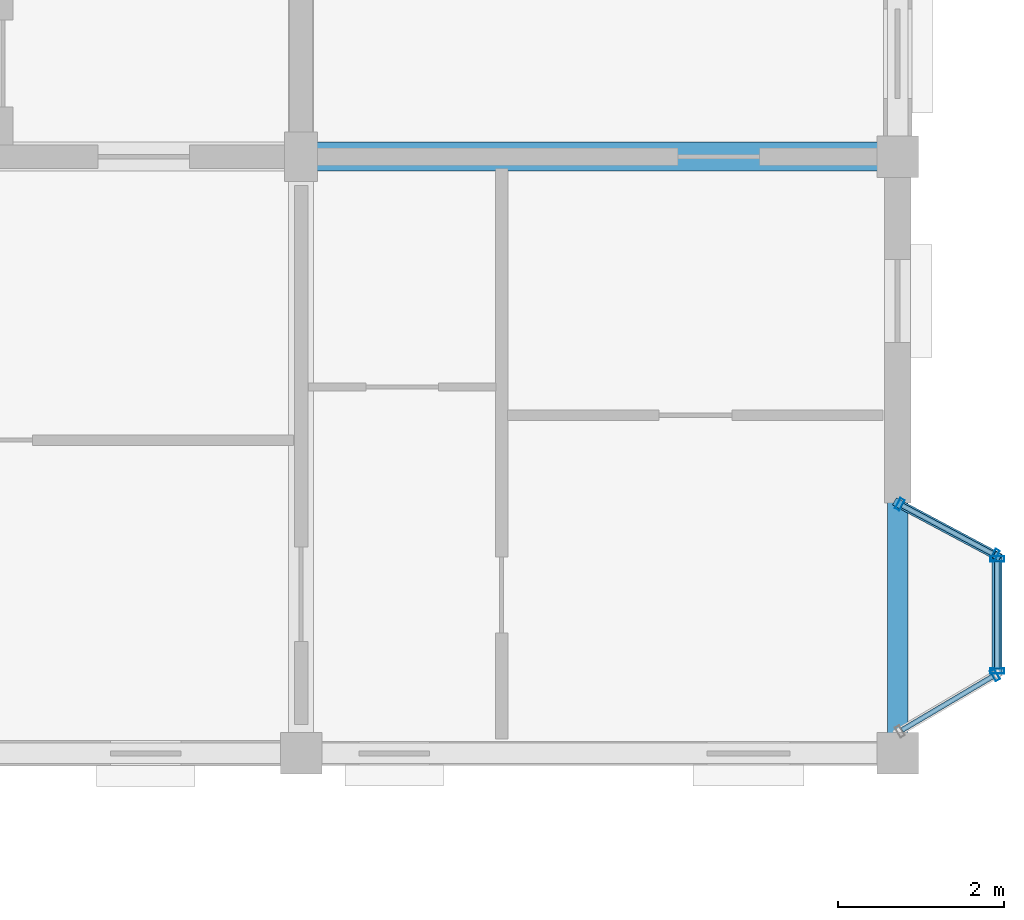
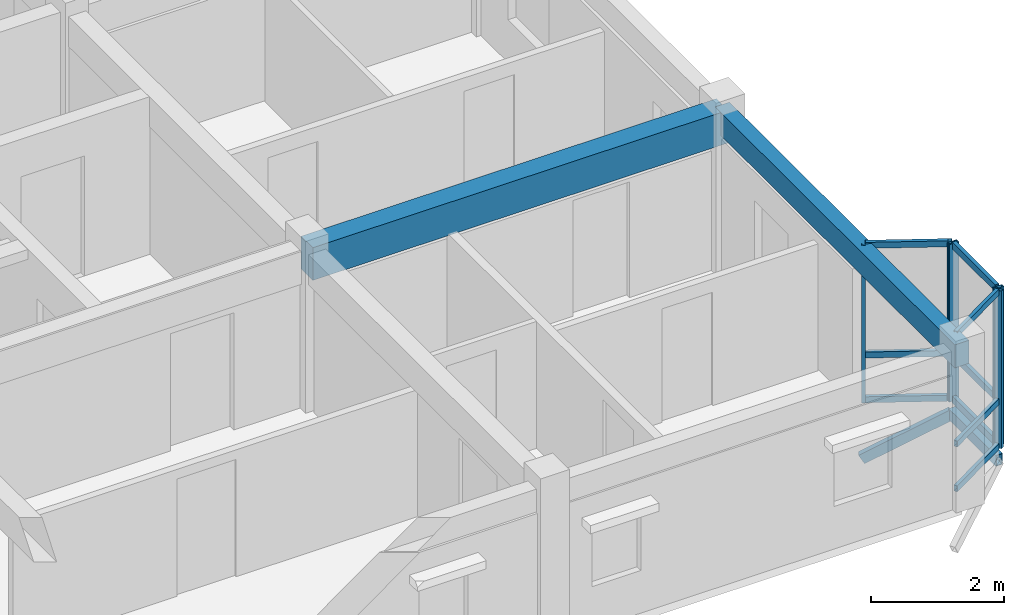
# One storey, part 18 of 64: 16 members, 2 beams, 3 elements without a shape of their own.
"""IFC4 building model written with IfcOpenShell, lengths in metres."""

from ifc_helpers import new_model, si_unit, direction, frame, origin, origin_2d, place, context, subcontext, project, spatial, rectangle, hollow_rectangle, extrude, material, layer, layer_set, material_profile, profile_set, type_object, element, aggregate, save


model = new_model("IFC4")

# Units and contexts
model_context = context("Model", 3, precision=1e-05, world=origin(), true_north=direction((0.0, 1.0)))
body_context = subcontext(model_context, "Body", "Model", "MODEL_VIEW")
ifc_project = project(units=[si_unit("LENGTHUNIT", "METRE"), si_unit("AREAUNIT", "SQUARE_METRE"), si_unit("VOLUMEUNIT", "CUBIC_METRE"), si_unit("PLANEANGLEUNIT", "RADIAN"), si_unit("MASSUNIT", "GRAM", prefix="KILO"), si_unit("THERMODYNAMICTEMPERATUREUNIT", "KELVIN"), si_unit("POWERUNIT", "WATT")], contexts=[model_context])

# Site, building, storey
site_placement = place(None, origin())
site = spatial("IfcSite", under=ifc_project, at=site_placement, CompositionType="ELEMENT")
building_placement = place(site_placement, origin())
building = spatial("IfcBuilding", under=site, at=building_placement, Name="Tavuni Mirador Residences", CompositionType="ELEMENT")
storey_placement = place(building_placement, frame((0.0, 0.0, 26.550048828125)))
storey = spatial("IfcBuildingStorey", under=building, at=storey_placement, Name="L08", CompositionType="ELEMENT", Elevation=26.550048828125)

# Beams
ifc_material_1 = material(Name="Precast concrete C40/50", Category="concrete")
ifc_material_profile_1 = material_profile(ifc_material_1, rectangle(XDim=0.35009765625, YDim=0.60009765625, at=origin_2d()), Name="PC 350x600", Category="concrete")
ifc_profile_set_1 = profile_set([ifc_material_profile_1], Name="Precast concrete C40/50")
beam_type_1 = type_object("IfcBeamType", Name="BT-B600", PredefinedType="BEAM", material=ifc_profile_set_1)
beam_1_placement = place(storey_placement, frame((111.60009765625, 93.60009765625, 2.58984375), z_axis=(1.0, 0.0, 0.0), x_axis=(0.0, 1.0, 0.0)))
element("IfcBeam", 1, at=beam_1_placement, inside=storey, type_object=beam_type_1, Name="BMX-BLK-D-L08-02-01", PredefinedType="BEAM", context=body_context, shape_type="SweptSolid", body=[
    extrude(rectangle(XDim=0.35009765625, YDim=0.60009765625, at=origin_2d()), origin(), (0.0, 0.0, 1.0), 7.199951171875),
])
ifc_material_profile_2 = material_profile(ifc_material_1, rectangle(XDim=0.25, YDim=0.419921875, at=origin_2d()), Name="PC 250x420", Category="concrete")
ifc_profile_set_2 = profile_set([ifc_material_profile_2], Name="Precast concrete C40/50")
beam_type_2 = type_object("IfcBeamType", Name="BT-SP420", PredefinedType="SPANDREL", material=ifc_profile_set_2)
beam_2_placement = place(storey_placement, frame((118.800048828125, 86.39990234375, 2.679931640625), z_axis=(0.0, 1.0, 0.0), x_axis=(-1.0, 0.0, 0.0)))
element("IfcBeam", 2, at=beam_2_placement, inside=storey, type_object=beam_type_2, Name="BMY-BLK-D-L08-03-00", PredefinedType="SPANDREL", context=body_context, shape_type="SweptSolid", body=[
    extrude(rectangle(XDim=0.25, YDim=0.419921875, at=origin_2d()), origin(), (0.0, 0.0, 1.0), 7.2001953125),
])

# Curtain wall, member
ifc_material_2 = material(Name="Anodised aluminium", Category="aluminium")
ifc_layer_1 = layer(ifc_material_2, 0.175048828125, Name="Anodised aluminium", Category="aluminium")
ifc_layer_set_1 = layer_set([ifc_layer_1], Name="Anodised aluminium")
curtain_wall_type_1 = type_object("IfcCurtainWallType", Name="CWT-MIR-C", PredefinedType="NOTDEFINED", material=ifc_layer_set_1)
curtain_wall_1_placement = place(storey_placement, origin())
curtain_wall_1 = element("IfcCurtainWall", 3, at=curtain_wall_1_placement, inside=storey, type_object=curtain_wall_type_1, Name="CW-MIR-D-E1-L08-M1", PredefinedType="NOTDEFINED")
ifc_material_profile_3 = material_profile(ifc_material_2, hollow_rectangle(XDim=0.06005859375, YDim=0.139892578125, WallThickness=0.00390625, at=origin_2d()), Name="ALU 60x140x4.0", Category="aluminium")
ifc_profile_set_3 = profile_set([ifc_material_profile_3], Name="Anodised aluminium")
member_type_1 = type_object("IfcMemberType", Name="CWM-140", PredefinedType="MULLION", material=ifc_profile_set_3)
member_1_placement = place(storey_placement, frame((119.97412109375, 87.3447265625, 0.0), z_axis=(0.0, 0.0, 1.0), x_axis=(0.860640830284, 0.509212491254, 0.0)))
member_1 = element("IfcMember", 4, at=member_1_placement, type_object=member_type_1, Name="CW-03 mullion 2", PredefinedType="MULLION", context=body_context, shape_type="SweptSolid", body=[
    extrude(hollow_rectangle(XDim=0.06005859375, YDim=0.139892578125, WallThickness=0.00390625, at=origin_2d()), origin(), (0.0, 0.0, 1.0), 2.889892578125),
])

# Curtain wall, members
ifc_layer_2 = layer(ifc_material_2, 0.1650390625, Name="Anodised aluminium", Category="aluminium")
ifc_layer_set_2 = layer_set([ifc_layer_2], Name="Anodised aluminium")
curtain_wall_type_2 = type_object("IfcCurtainWallType", Name="CWT-MIR-A", PredefinedType="NOTDEFINED", material=ifc_layer_set_2)
curtain_wall_2_placement = place(storey_placement, origin())
curtain_wall_2 = element("IfcCurtainWall", 5, at=curtain_wall_2_placement, inside=storey, type_object=curtain_wall_type_2, Name="CW-MIR-D-E1-L08-M2", PredefinedType="NOTDEFINED")
member_2_placement = place(storey_placement, frame((119.9736328125, 88.794189453125, 0.0), z_axis=(0.0, 0.0, 1.0), x_axis=(-0.882352941175, 0.470588235296, 0.0)))
member_2 = element("IfcMember", 6, at=member_2_placement, type_object=member_type_1, Name="CW-01 mullion 1", PredefinedType="MULLION", context=body_context, shape_type="SweptSolid", body=[
    extrude(hollow_rectangle(XDim=0.06005859375, YDim=0.139892578125, WallThickness=0.00390625, at=origin_2d()), origin(), (0.0, 0.0, 1.0), 2.889892578125),
])
member_3_placement = place(storey_placement, frame((118.826416015625, 89.40576171875, 0.0), z_axis=(0.0, 0.0, 1.0), x_axis=(-0.882352941175, 0.470588235296, 0.0)))
member_3 = element("IfcMember", 7, at=member_3_placement, type_object=member_type_1, Name="CW-01 mullion 2", PredefinedType="MULLION", context=body_context, shape_type="SweptSolid", body=[
    extrude(hollow_rectangle(XDim=0.06005859375, YDim=0.139892578125, WallThickness=0.00390625, at=origin_2d()), origin(), (0.0, 0.0, 1.0), 2.889892578125),
])

ifc_layer_3 = layer(ifc_material_2, 0.159912109375, Name="Anodised aluminium", Category="aluminium")
ifc_layer_set_3 = layer_set([ifc_layer_3], Name="Anodised aluminium")
curtain_wall_type_3 = type_object("IfcCurtainWallType", Name="CWT-MIR-D", PredefinedType="NOTDEFINED", material=ifc_layer_set_3)
curtain_wall_3_placement = place(storey_placement, origin())
curtain_wall_3 = element("IfcCurtainWall", 8, at=curtain_wall_3_placement, inside=storey, type_object=curtain_wall_type_3, Name="CW-MIR-D-E1-L08-MF", PredefinedType="NOTDEFINED")
ifc_material_profile_4 = material_profile(ifc_material_2, hollow_rectangle(XDim=0.06494140625, YDim=0.1650390625, WallThickness=0.00439453125, at=origin_2d()), Name="ALU 65x165x4.5", Category="aluminium")
ifc_profile_set_4 = profile_set([ifc_material_profile_4], Name="Anodised aluminium")
member_type_2 = type_object("IfcMemberType", Name="CWM-165", PredefinedType="MULLION", material=ifc_profile_set_4)
member_4_placement = place(storey_placement, frame((120.0, 87.392578125, 0.0), z_axis=(0.0, 0.0, 1.0), x_axis=(0.0, 1.0, 0.0)))
member_4 = element("IfcMember", 9, at=member_4_placement, type_object=member_type_2, Name="CW-04 mullion 1", PredefinedType="MULLION", context=body_context, shape_type="SweptSolid", body=[
    extrude(hollow_rectangle(XDim=0.06494140625, YDim=0.1650390625, WallThickness=0.00439453125, at=origin_2d()), origin(), (0.0, 0.0, 1.0), 2.889892578125),
])
member_5_placement = place(storey_placement, frame((120.0, 88.74755859375, 0.0), z_axis=(0.0, 0.0, 1.0), x_axis=(0.0, 1.0, 0.0)))
member_5 = element("IfcMember", 10, at=member_5_placement, type_object=member_type_2, Name="CW-04 mullion 2", PredefinedType="MULLION", context=body_context, shape_type="SweptSolid", body=[
    extrude(hollow_rectangle(XDim=0.06494140625, YDim=0.1650390625, WallThickness=0.00439453125, at=origin_2d()), origin(), (0.0, 0.0, 1.0), 2.889892578125),
])

# Member
ifc_material_profile_5 = material_profile(ifc_material_2, hollow_rectangle(XDim=0.06005859375, YDim=0.110107421875, WallThickness=0.00390625, at=origin_2d()), Name="ALU 60x110x4.0", Category="aluminium")
ifc_profile_set_5 = profile_set([ifc_material_profile_5], Name="Anodised aluminium")
member_type_3 = type_object("IfcMemberType", Name="CWT-110", PredefinedType="USERDEFINED", material=ifc_profile_set_5)
member_6_placement = place(storey_placement, frame((118.8515625, 86.6806640625, 0.030029296875), z_axis=(0.860705202114, 0.509103678098, 0.0), x_axis=(-0.509103678098, 0.860705202114, 0.0)))
member_6 = element("IfcMember", 11, at=member_6_placement, type_object=member_type_3, Name="CW-03 transom 1.1", ObjectType="TRANSOM", PredefinedType="USERDEFINED", context=body_context, shape_type="SweptSolid", body=[
    extrude(hollow_rectangle(XDim=0.06005859375, YDim=0.110107421875, WallThickness=0.00390625, at=origin_2d()), origin(), (0.0, 0.0, 1.0), 1.274169921875),
])

member_7_placement = place(storey_placement, frame((118.8515625, 86.6806640625, 0.849853515625), z_axis=(0.860705202114, 0.509103678098, 0.0), x_axis=(-0.509103678098, 0.860705202114, 0.0)))
member_7 = element("IfcMember", 12, at=member_7_placement, type_object=member_type_3, Name="CW-03 transom 1.2", ObjectType="TRANSOM", PredefinedType="USERDEFINED", context=body_context, shape_type="SweptSolid", body=[
    extrude(hollow_rectangle(XDim=0.06005859375, YDim=0.110107421875, WallThickness=0.00390625, at=origin_2d()), origin(), (0.0, 0.0, 1.0), 1.274169921875),
])

member_8_placement = place(storey_placement, frame((118.8515625, 86.6806640625, 2.85986328125), z_axis=(0.860705202114, 0.509103678098, 0.0), x_axis=(-0.509103678098, 0.860705202114, 0.0)))
member_8 = element("IfcMember", 13, at=member_8_placement, type_object=member_type_3, Name="CW-03 transom 1.3", ObjectType="TRANSOM", PredefinedType="USERDEFINED", context=body_context, shape_type="SweptSolid", body=[
    extrude(hollow_rectangle(XDim=0.06005859375, YDim=0.110107421875, WallThickness=0.00390625, at=origin_2d()), origin(), (0.0, 0.0, 1.0), 1.274169921875),
])

aggregate(curtain_wall_1, [member_1, member_6, member_7, member_8])

member_9_placement = place(storey_placement, frame((119.947021484375, 88.808349609375, 0.030029296875), z_axis=(-0.882342039492, 0.470608675382, 0.0), x_axis=(-0.470608675382, -0.882342039492, 0.0)))
member_9 = element("IfcMember", 14, at=member_9_placement, type_object=member_type_3, Name="CW-01 transom 1.1", ObjectType="TRANSOM", PredefinedType="USERDEFINED", context=body_context, shape_type="SweptSolid", body=[
    extrude(hollow_rectangle(XDim=0.06005859375, YDim=0.110107421875, WallThickness=0.00390625, at=origin_2d()), origin(), (0.0, 0.0, 1.0), 1.239990234375),
])

member_10_placement = place(storey_placement, frame((119.947021484375, 88.808349609375, 0.849853515625), z_axis=(-0.882342039492, 0.470608675382, 0.0), x_axis=(-0.470608675382, -0.882342039492, 0.0)))
member_10 = element("IfcMember", 15, at=member_10_placement, type_object=member_type_3, Name="CW-01 transom 1.2", ObjectType="TRANSOM", PredefinedType="USERDEFINED", context=body_context, shape_type="SweptSolid", body=[
    extrude(hollow_rectangle(XDim=0.06005859375, YDim=0.110107421875, WallThickness=0.00390625, at=origin_2d()), origin(), (0.0, 0.0, 1.0), 1.239990234375),
])

member_11_placement = place(storey_placement, frame((119.947021484375, 88.808349609375, 2.85986328125), z_axis=(-0.882342039492, 0.470608675382, 0.0), x_axis=(-0.470608675382, -0.882342039492, 0.0)))
member_11 = element("IfcMember", 16, at=member_11_placement, type_object=member_type_3, Name="CW-01 transom 1.3", ObjectType="TRANSOM", PredefinedType="USERDEFINED", context=body_context, shape_type="SweptSolid", body=[
    extrude(hollow_rectangle(XDim=0.06005859375, YDim=0.110107421875, WallThickness=0.00390625, at=origin_2d()), origin(), (0.0, 0.0, 1.0), 1.239990234375),
])

aggregate(curtain_wall_2, [member_2, member_3, member_9, member_10, member_11])

ifc_material_profile_6 = material_profile(ifc_material_2, hollow_rectangle(XDim=0.06494140625, YDim=0.125, WallThickness=0.00439453125, at=origin_2d()), Name="ALU 65x125x4.5", Category="aluminium")
ifc_profile_set_6 = profile_set([ifc_material_profile_6], Name="Anodised aluminium")
member_type_4 = type_object("IfcMemberType", Name="CWT-125", PredefinedType="USERDEFINED", material=ifc_profile_set_6)
member_12_placement = place(storey_placement, frame((120.0, 87.425048828125, 0.032470703125), z_axis=(0.0, 1.0, 0.0), x_axis=(-1.0, 0.0, 0.0)))
member_12 = element("IfcMember", 17, at=member_12_placement, type_object=member_type_4, Name="CW-04 transom 1.1", ObjectType="TRANSOM", PredefinedType="USERDEFINED", context=body_context, shape_type="SweptSolid", body=[
    extrude(hollow_rectangle(XDim=0.06494140625, YDim=0.125, WallThickness=0.00439453125, at=origin_2d()), origin(), (0.0, 0.0, 1.0), 1.2900390625),
])

member_13_placement = place(storey_placement, frame((120.0, 87.425048828125, 0.849853515625), z_axis=(0.0, 1.0, 0.0), x_axis=(-1.0, 0.0, 0.0)))
member_13 = element("IfcMember", 18, at=member_13_placement, type_object=member_type_4, Name="CW-04 transom 1.2", ObjectType="TRANSOM", PredefinedType="USERDEFINED", context=body_context, shape_type="SweptSolid", body=[
    extrude(hollow_rectangle(XDim=0.06494140625, YDim=0.125, WallThickness=0.00439453125, at=origin_2d()), origin(), (0.0, 0.0, 1.0), 1.2900390625),
])

member_14_placement = place(storey_placement, frame((120.0, 87.425048828125, 2.857421875), z_axis=(0.0, 1.0, 0.0), x_axis=(-1.0, 0.0, 0.0)))
member_14 = element("IfcMember", 19, at=member_14_placement, type_object=member_type_4, Name="CW-04 transom 1.3", ObjectType="TRANSOM", PredefinedType="USERDEFINED", context=body_context, shape_type="SweptSolid", body=[
    extrude(hollow_rectangle(XDim=0.06494140625, YDim=0.125, WallThickness=0.00439453125, at=origin_2d()), origin(), (0.0, 0.0, 1.0), 1.2900390625),
])

aggregate(curtain_wall_3, [member_4, member_5, member_12, member_13, member_14])

# Members
ifc_material_3 = material(Name="Structural steel S355", Category="steel")
ifc_material_profile_7 = material_profile(ifc_material_3, hollow_rectangle(XDim=0.10009765625, YDim=0.179931640625, WallThickness=0.008056640625, at=origin_2d()), Name="RHS 180x100x8.0", Category="steel")
ifc_profile_set_7 = profile_set([ifc_material_profile_7], Name="Structural steel S355")
member_type_5 = type_object("IfcMemberType", Name="MT-BR-RHS180", PredefinedType="BRACE", material=ifc_profile_set_7)
member_15_placement = place(storey_placement, frame((118.800048828125, 89.419921875, -1.050048828125), z_axis=(0.762969185555, -0.406865154698, 0.502333323389), x_axis=(0.47054164445, 0.882377788047, 0.0)))
element("IfcMember", 20, at=member_15_placement, inside=storey, type_object=member_type_5, Name="MBRK-MIR-D-E1-L08-2", PredefinedType="BRACE", context=body_context, shape_type="SweptSolid", body=[
    extrude(hollow_rectangle(XDim=0.10009765625, YDim=0.179931640625, WallThickness=0.008056640625, at=origin_2d()), origin(), (0.0, 0.0, 1.0), 1.57275390625),
])
ifc_material_profile_8 = material_profile(ifc_material_3, hollow_rectangle(XDim=0.1201171875, YDim=0.199951171875, WallThickness=0.010009765625, at=origin_2d()), Name="RHS 200x120x10.0", Category="steel")
ifc_profile_set_8 = profile_set([ifc_material_profile_8], Name="Structural steel S355")
member_type_6 = type_object("IfcMemberType", Name="MT-ST-RHS200", PredefinedType="STRUT", material=ifc_profile_set_8)
member_16_placement = place(storey_placement, frame((120.0, 87.360107421875, -0.260009765625), z_axis=(0.0, 1.0, 0.0), x_axis=(-1.0, 0.0, 0.0)))
element("IfcMember", 21, at=member_16_placement, inside=storey, type_object=member_type_6, Name="MRIM-MIR-D-E1-L08", PredefinedType="STRUT", context=body_context, shape_type="SweptSolid", body=[
    extrude(hollow_rectangle(XDim=0.1201171875, YDim=0.199951171875, WallThickness=0.010009765625, at=origin_2d()), origin(), (0.0, 0.0, 1.0), 1.419921875),
])

save(model, "model.ifc")
